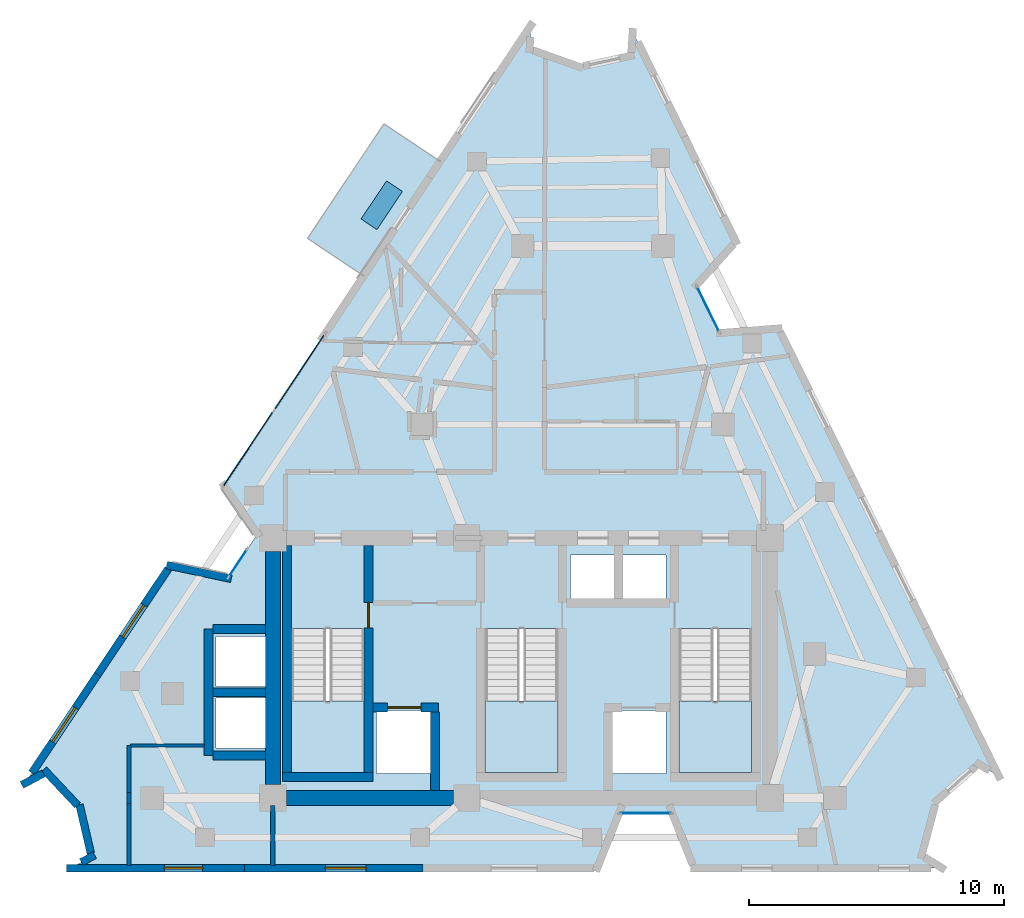
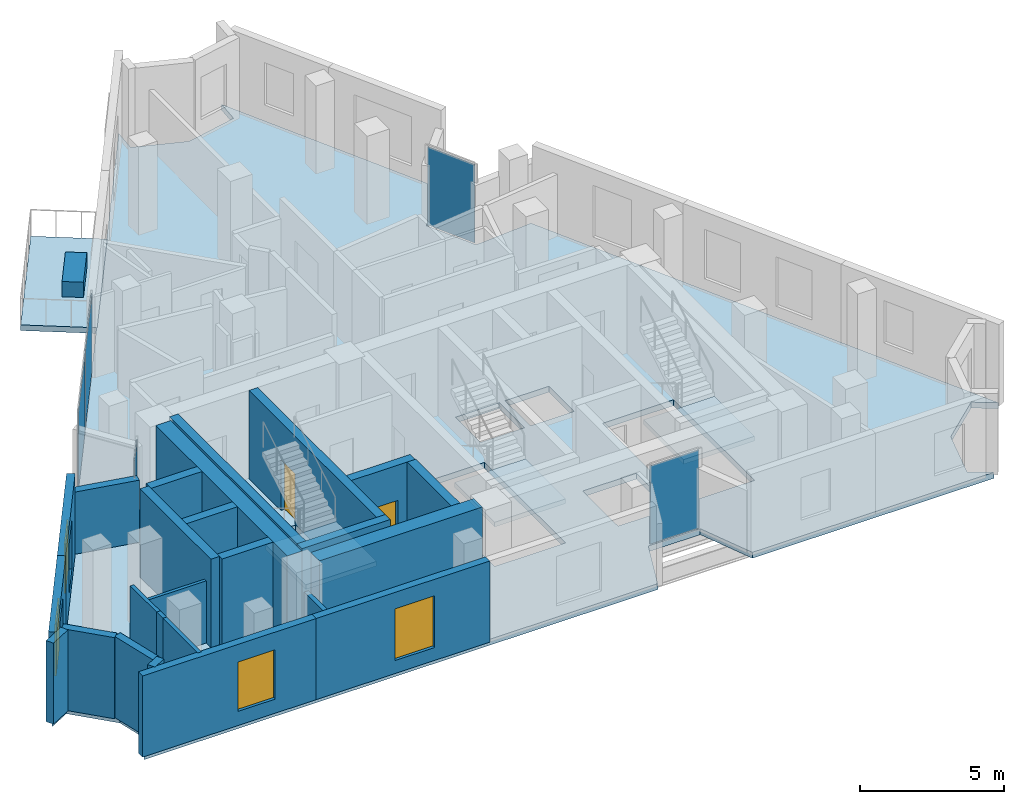
# One storey, part 4 of 8: 25 walls, 6 plates, 5 slabs, 4 windows, 2 doors, 6 openings, 7 elements without a shape of their own.
"""IFC4 building model written with IfcOpenShell, lengths in metres."""

import ifcopenshell
import ifcopenshell.guid

model = None  # the IFC model being written
_history = None  # IfcOwnerHistory: only IFC2X3 demands one
_inside = {}  # id of a spatial element -> (the spatial element, [elements in it])
_under = {}  # id of a project, library or spatial element -> (it, [spatial elements below it])
_declared = {}  # id of a project -> (the project, [libraries it declares])
_typed = {}  # id of a type object -> (the type object, [elements of that type])
_made_of = {}  # id of a material, layer set ... -> (it, [elements and type objects made of it])


def new_model(schema):
    """Start an empty IFC model of exactly this schema.

    Asked for "IFC4X3", IfcOpenShell would pick the latest addendum, in which some entities
    have other attributes; the version numbers below select the first issue.
    IFC2X3 requires an IfcOwnerHistory on every rooted entity: one is made here for all.
    """
    global model, _history
    if schema == "IFC4X3":
        model = ifcopenshell.file(schema_version=(4, 3, 0, 0))
    else:
        model = ifcopenshell.file(schema=schema)
    _inside.clear()
    _under.clear()
    _declared.clear()
    _typed.clear()
    _made_of.clear()
    _history = None
    if model.schema == "IFC2X3":
        org = make("IfcOrganization", Name="unknown")
        user = make(
            "IfcPersonAndOrganization",
            ThePerson=make("IfcPerson", FamilyName="unknown"),
            TheOrganization=org,
        )
        app = make(
            "IfcApplication",
            ApplicationDeveloper=org,
            Version="unknown",
            ApplicationFullName="unknown",
            ApplicationIdentifier="unknown",
        )
        _history = make(
            "IfcOwnerHistory",
            OwningUser=user,
            OwningApplication=app,
            ChangeAction="ADDED",
            CreationDate=0,
        )
    return model


def make(cls, **values):
    """One entity of the class cls with the attributes given. An attribute that is None is left unset."""
    return model.create_entity(
        cls, **{name: value for name, value in values.items() if value is not None}
    )


def rooted(cls, **values):
    """An entity with a GlobalId (a new one), such as an element, a storey or a relation."""
    return make(cls, GlobalId=ifcopenshell.guid.new(), OwnerHistory=_history, **values)


def si_unit(unit_type, name, prefix=None):
    """IfcSIUnit, for example si_unit("LENGTHUNIT", "METRE", prefix="MILLI")."""
    return make("IfcSIUnit", UnitType=unit_type, Prefix=prefix, Name=name)


def assignment(units):
    """IfcUnitAssignment: the units of a project."""
    return None if units is None else make("IfcUnitAssignment", Units=units)


def point(xyz):
    """IfcCartesianPoint."""
    return None if xyz is None else make("IfcCartesianPoint", Coordinates=xyz)


def direction(xyz):
    """IfcDirection."""
    return None if xyz is None else make("IfcDirection", DirectionRatios=xyz)


def frame(location, z_axis=None, x_axis=None):
    """IfcAxis2Placement3D, a coordinate frame: its origin and axes. An axis left out is left unset."""
    return make(
        "IfcAxis2Placement3D",
        Location=point(location),
        Axis=direction(z_axis),
        RefDirection=direction(x_axis),
    )


def frame_2d(location, x_axis=None):
    """IfcAxis2Placement2D, a coordinate frame in the plane: its origin and x axis."""
    return make(
        "IfcAxis2Placement2D", Location=point(location), RefDirection=direction(x_axis)
    )


def origin():
    """The frame at (0, 0, 0) with its axes left unset."""
    return frame((0.0, 0.0, 0.0))


def origin_2d():
    """The frame at (0, 0) in the plane with its x axis left unset."""
    return frame_2d((0.0, 0.0))


def place(relative_to, where):
    """IfcLocalPlacement: puts the frame where relative to a parent placement (None: the world)."""
    return make(
        "IfcLocalPlacement", PlacementRelTo=relative_to, RelativePlacement=where
    )


def context(
    kind, dimensions, precision=None, world=None, true_north=None, identifier=None
):
    """IfcGeometricRepresentationContext, for example the 3D "Model" context."""
    return make(
        "IfcGeometricRepresentationContext",
        ContextIdentifier=identifier,
        ContextType=kind,
        CoordinateSpaceDimension=dimensions,
        Precision=precision,
        WorldCoordinateSystem=world,
        TrueNorth=true_north,
    )


def subcontext(parent, identifier, kind, view, scale=None):
    """IfcGeometricRepresentationSubContext, for example "Body" below "Model"."""
    return make(
        "IfcGeometricRepresentationSubContext",
        ContextIdentifier=identifier,
        ContextType=kind,
        ParentContext=parent,
        TargetScale=scale,
        TargetView=view,
    )


def project(units=None, contexts=None):
    """IfcProject with its units and contexts."""
    return rooted(
        "IfcProject",
        Name="project",
        RepresentationContexts=contexts,
        UnitsInContext=assignment(units),
    )


def spatial(cls, under=None, at=None, **own):
    """A site, building, storey or space (cls), placed at a placement, below another one or the project."""
    s = rooted(cls, ObjectPlacement=at, **own)
    if under is not None:
        _under.setdefault(under.id(), (under, []))[1].append(s)
    return s


def polyline(points):
    """IfcPolyline through the points."""
    return make("IfcPolyline", Points=[point(p) for p in points])


def profile(cls, at=None, kind="AREA", **sizes):
    """A parametric profile (cls). Its sizes go by their IFC names, for example OverallWidth=200.0."""
    return make(cls, ProfileType=kind, Position=at, **sizes)


def rectangle(**sizes):
    """IfcRectangleProfileDef."""
    return profile("IfcRectangleProfileDef", **sizes)


def outline(outer, holes=None, kind="AREA"):
    """IfcArbitraryClosedProfileDef: a profile drawn as a closed curve; with holes, ...WithVoids."""
    if holes is None:
        return make("IfcArbitraryClosedProfileDef", ProfileType=kind, OuterCurve=outer)
    return make(
        "IfcArbitraryProfileDefWithVoids",
        ProfileType=kind,
        OuterCurve=outer,
        InnerCurves=holes,
    )


def extrude(swept, where, along, depth):
    """IfcExtrudedAreaSolid: the profile swept, set in the frame where, extruded along a direction by depth."""
    return make(
        "IfcExtrudedAreaSolid",
        SweptArea=swept,
        Position=where,
        ExtrudedDirection=direction(along),
        Depth=depth,
    )


def shape(context_of_items, identifier, shape_type, items):
    """IfcShapeRepresentation: the items that make up one representation, for example the "Body"."""
    return make(
        "IfcShapeRepresentation",
        ContextOfItems=context_of_items,
        RepresentationIdentifier=identifier,
        RepresentationType=shape_type,
        Items=items,
    )


def material(Name=None, Category=None):
    """IfcMaterial."""
    return make("IfcMaterial", Name=Name, Category=Category)


def layer(
    of_material, thickness, ventilated=None, Name=None, Category=None, Priority=None
):
    """IfcMaterialLayer: one layer of a wall or slab, of a material (None: an air gap)."""
    return make(
        "IfcMaterialLayer",
        Material=of_material,
        LayerThickness=thickness,
        IsVentilated=ventilated,
        Name=Name,
        Category=Category,
        Priority=Priority,
    )


def layer_set(layers, Name=None):
    """IfcMaterialLayerSet."""
    return make("IfcMaterialLayerSet", MaterialLayers=layers, LayerSetName=Name)


def made_of(thing, what):
    """Note that an element or type object is made of a material, layer set ...; save() writes the relation."""
    if what is not None:
        _made_of.setdefault(what.id(), (what, []))[1].append(thing)
    return thing


def type_object(cls, material=None, **own):
    """A type object (cls), such as IfcWallType, which elements share."""
    return made_of(rooted(cls, **own), material)


def element(
    cls,
    number,
    at=None,
    inside=None,
    cuts=None,
    type_object=None,
    material=None,
    context=None,
    identifier="Body",
    shape_type=None,
    held_by="IfcProductDefinitionShape",
    body=None,
    shapes=None,
    **own,
):
    """One element of the class cls, such as IfcWall. Its Tag is "e" and its number.

    at: its placement. inside: the storey or other place that contains it. cuts: it is an
    opening in that element (IfcRelVoidsElement). A single representation is given by context,
    identifier, shape_type and body (its items); several are given by shapes. held_by: the class
    of the entity that holds the representations. save() writes the other relations.
    """
    e = rooted(cls, Tag="e%d" % number, ObjectPlacement=at, **own)
    if body is not None:
        shapes = [shape(context, identifier, shape_type, body)]
    if shapes is not None:
        e.Representation = make(held_by, Representations=shapes)
    if inside is not None:
        _inside.setdefault(inside.id(), (inside, []))[1].append(e)
    if cuts is not None:
        rooted(
            "IfcRelVoidsElement", RelatingBuildingElement=cuts, RelatedOpeningElement=e
        )
    if type_object is not None:
        _typed.setdefault(type_object.id(), (type_object, []))[1].append(e)
    return made_of(e, material)


def fill(opening, filler):
    """IfcRelFillsElement: the door or window that sits in an opening."""
    return rooted(
        "IfcRelFillsElement",
        RelatingOpeningElement=opening,
        RelatedBuildingElement=filler,
    )


def aggregate(whole, parts):
    """IfcRelAggregates: a whole, such as a stair, and the parts it consists of."""
    return rooted("IfcRelAggregates", RelatingObject=whole, RelatedObjects=parts)


def save(model, path):
    """Write the relations noted so far, then the file.

    IfcRelAggregates (storeys below a building ...), IfcRelContainedInSpatialStructure (elements
    in a storey), IfcRelDefinesByType, IfcRelAssociatesMaterial and IfcRelDeclares: one each for
    every whole, place, type object, material and project.
    """
    for whole, parts in _under.values():
        aggregate(whole, parts)
    for where, things in _inside.values():
        rooted(
            "IfcRelContainedInSpatialStructure",
            RelatedElements=things,
            RelatingStructure=where,
        )
    for kind, things in _typed.values():
        rooted("IfcRelDefinesByType", RelatedObjects=things, RelatingType=kind)
    for what, things in _made_of.values():
        rooted("IfcRelAssociatesMaterial", RelatedObjects=things, RelatingMaterial=what)
    for by, libraries in _declared.values():
        rooted("IfcRelDeclares", RelatingContext=by, RelatedDefinitions=libraries)
    model.write(path)


model = new_model("IFC4")

# Units and contexts
model_context = context("Model", 3, precision=1e-05, world=origin(), true_north=direction((0.0, 1.0)))
body_context = subcontext(model_context, "Body", "Model", "MODEL_VIEW")
ifc_project = project(units=[si_unit("LENGTHUNIT", "METRE"), si_unit("AREAUNIT", "SQUARE_METRE"), si_unit("VOLUMEUNIT", "CUBIC_METRE"), si_unit("PLANEANGLEUNIT", "RADIAN"), si_unit("MASSUNIT", "GRAM", prefix="KILO")], contexts=[model_context])

# Site, building, storey
site_placement = place(None, origin())
site = spatial("IfcSite", under=ifc_project, at=site_placement, CompositionType="ELEMENT")
building_placement = place(site_placement, origin())
building = spatial("IfcBuilding", under=site, at=building_placement, Name="Almagre Mirador Tower", CompositionType="ELEMENT")
storey_placement = place(building_placement, frame((0.0, 0.0, 285.75)))
storey = spatial("IfcBuildingStorey", under=building, at=storey_placement, Name="L74", CompositionType="ELEMENT", Elevation=285.75)

# Curtain wall, plate
ifc_material_1 = material(Name="Black anodized aluminium", Category="aluminium")
ifc_layer_1 = layer(ifc_material_1, 0.169921875)
ifc_layer_set_1 = layer_set([ifc_layer_1], Name="Black anodized aluminium")
curtain_wall_type_1 = type_object("IfcCurtainWallType", Name="CW-CRS-SYS", PredefinedType="NOTDEFINED", material=ifc_layer_set_1)
curtain_wall_1_placement = place(storey_placement, origin())
curtain_wall_1 = element("IfcCurtainWall", 1, at=curtain_wall_1_placement, inside=storey, type_object=curtain_wall_type_1, Name="L74 vertical crease curtain wall 01", PredefinedType="NOTDEFINED")
ifc_material_2 = material(Name="Dark solar-control laminated hurricane glass", Category="glass")
ifc_layer_2 = layer(ifc_material_2, 0.028076171875)
ifc_layer_set_2 = layer_set([ifc_layer_2], Name="Dark solar-control laminated hurricane glass")
plate_type_1 = type_object("IfcPlateType", Name="PLT-GLZ-28", PredefinedType="CURTAIN_PANEL", material=ifc_layer_set_2)
plate_1_placement = place(storey_placement, frame((26.1708984375, 13.76220703125, 0.06005859375), z_axis=(0.0, 0.0, 1.0), x_axis=(0.555110871577, 0.83177636433, 0.0)))
plate_1 = element("IfcPlate", 2, at=plate_1_placement, type_object=plate_type_1, Name="CW-4 panel 1.1", PredefinedType="CURTAIN_PANEL", context=body_context, shape_type="SweptSolid", body=[
    extrude(rectangle(XDim=1.28466796875, YDim=0.028076171875, at=origin_2d()), origin(), (0.0, 0.0, 1.0), 3.330078125),
])
aggregate(curtain_wall_1, [plate_1])

curtain_wall_2_placement = place(storey_placement, origin())
curtain_wall_2 = element("IfcCurtainWall", 3, at=curtain_wall_2_placement, inside=storey, type_object=curtain_wall_type_1, Name="L74 vertical crease curtain wall 03", PredefinedType="NOTDEFINED")
plate_2_placement = place(storey_placement, frame((44.62158203125, 23.7265625, 0.06005859375), z_axis=(0.0, 0.0, 1.0), x_axis=(0.441654397897, -0.897185261147, 0.0)))
plate_2 = element("IfcPlate", 4, at=plate_2_placement, type_object=plate_type_1, Name="CW-4 panel 1.1", PredefinedType="CURTAIN_PANEL", context=body_context, shape_type="SweptSolid", body=[
    extrude(rectangle(XDim=1.969970703125, YDim=0.028076171875, at=origin_2d()), origin(), (0.0, 0.0, 1.0), 3.330078125),
])
aggregate(curtain_wall_2, [plate_2])

curtain_wall_3_placement = place(storey_placement, origin())
curtain_wall_3 = element("IfcCurtainWall", 5, at=curtain_wall_3_placement, inside=storey, type_object=curtain_wall_type_1, Name="L74 vertical crease curtain wall 04", PredefinedType="NOTDEFINED")
plate_3_placement = place(storey_placement, frame((42.172119140625, 3.949951171875, 0.06005859375), z_axis=(0.0, 0.0, 1.0), x_axis=(-1.0, 0.0, 0.0)))
plate_3 = element("IfcPlate", 6, at=plate_3_placement, type_object=plate_type_1, Name="CW-4 panel 1.1", PredefinedType="CURTAIN_PANEL", context=body_context, shape_type="SweptSolid", body=[
    extrude(rectangle(XDim=1.969970703125, YDim=0.028076171875, at=origin_2d()), origin(), (0.0, 0.0, 1.0), 3.330078125),
])
aggregate(curtain_wall_3, [plate_3])

# Curtain wall, plates
ifc_material_3 = material(Name="Black anodized aluminium", Category="aluminium")
ifc_layer_3 = layer(ifc_material_3, 0.199951171875)
ifc_layer_set_3 = layer_set([ifc_layer_3], Name="Black anodized aluminium")
curtain_wall_type_2 = type_object("IfcCurtainWallType", Name="CW-RES-H-SYS", PredefinedType="NOTDEFINED", material=ifc_layer_set_3)
curtain_wall_4_placement = place(storey_placement, origin())
curtain_wall_4 = element("IfcCurtainWall", 7, at=curtain_wall_4_placement, inside=storey, type_object=curtain_wall_type_2, Name="L74 curtain wall run 02", PredefinedType="NOTDEFINED")
ifc_material_4 = material(Name="Dark solar-control laminated hurricane glass", Category="glass")
ifc_layer_4 = layer(ifc_material_4, 0.035888671875)
ifc_layer_set_4 = layer_set([ifc_layer_4], Name="Dark solar-control laminated hurricane glass")
plate_type_2 = type_object("IfcPlateType", Name="PLT-GLZ-36", PredefinedType="CURTAIN_PANEL", material=ifc_layer_set_4)
plate_4_placement = place(storey_placement, frame((26.576416015625, 18.241943359375, 0.06494140625), z_axis=(0.0, 0.0, 1.0), x_axis=(0.555222828235, 0.831701635809, 0.0)))
plate_4 = element("IfcPlate", 8, at=plate_4_placement, type_object=plate_type_2, Name="CW-3 panel 1.1", PredefinedType="CURTAIN_PANEL", context=body_context, shape_type="SweptSolid", body=[
    extrude(rectangle(XDim=3.566650390625, YDim=0.035888671875, at=origin_2d()), origin(), (0.0, 0.0, 1.0), 3.320068359375),
])
plate_5_placement = place(storey_placement, frame((28.5927734375, 21.26220703125, 0.06494140625), z_axis=(0.0, 0.0, 1.0), x_axis=(0.555222828235, 0.831701635809, 0.0)))
plate_5 = element("IfcPlate", 9, at=plate_5_placement, type_object=plate_type_2, Name="CW-3 panel 2.1", PredefinedType="CURTAIN_PANEL", context=body_context, shape_type="SweptSolid", body=[
    extrude(rectangle(XDim=3.566650390625, YDim=0.035888671875, at=origin_2d()), origin(), (0.0, 0.0, 1.0), 3.320068359375),
])
aggregate(curtain_wall_4, [plate_4, plate_5])

# Plate
ifc_material_5 = material(Name="Precast concrete C50/60", Category="concrete")
ifc_layer_5 = layer(ifc_material_5, 0.64990234375)
ifc_layer_set_5 = layer_set([ifc_layer_5], Name="Precast concrete C50/60")
plate_type_3 = type_object("IfcPlateType", Name="PLT-PLANTER-1800", PredefinedType="USERDEFINED", material=ifc_layer_set_5)
plate_6_placement = place(storey_placement, frame((31.820068359375, 27.806884765625, 0.0), z_axis=(0.0, 0.0, 1.0), x_axis=(-0.555221899113, -0.831702256066, 0.0)))
element("IfcPlate", 10, at=plate_6_placement, inside=storey, type_object=plate_type_3, Name="L74 west balcony structural tree planter 1", ObjectType="PLANTER", PredefinedType="USERDEFINED", context=body_context, shape_type="SweptSolid", body=[
    extrude(rectangle(XDim=1.800048828125, YDim=0.75, at=origin_2d()), origin(), (0.0, 0.0, 1.0), 0.64990234375),
])

# Slabs
ifc_material_6 = material(Name="Concrete C45/55", Category="concrete")
ifc_layer_6 = layer(ifc_material_6, 0.239990234375)
ifc_layer_set_6 = layer_set([ifc_layer_6], Name="Concrete C45/55")
slab_type_1 = type_object("IfcSlabType", Name="SLB-BAL-240", PredefinedType="USERDEFINED", material=ifc_layer_set_6)
slab_1_placement = place(storey_placement, frame((0.0, 0.0, -0.239990234375)))
element("IfcSlab", 11, at=slab_1_placement, inside=storey, type_object=slab_type_1, Name="L74 west planted tree balcony 1", ObjectType="BALCONY", PredefinedType="USERDEFINED", context=body_context, shape_type="SweptSolid", body=[
    extrude(outline(polyline([(34.1259765625, 29.514892578125), (31.1279296875, 25.02294921875), (28.906982421875, 26.506103515625), (31.905029296875, 30.9970703125), (34.1259765625, 29.514892578125)])), origin(), (0.0, 0.0, 1.0), 0.239990234375),
])
ifc_material_7 = material(Name="Concrete C45/55", Category="concrete")
ifc_layer_7 = layer(ifc_material_7, 0.25)
ifc_layer_set_7 = layer_set([ifc_layer_7], Name="Concrete C45/55")
slab_type_2 = type_object("IfcSlabType", Name="SLB-FLR-250", PredefinedType="FLOOR", material=ifc_layer_set_7)
slab_2_placement = place(storey_placement, frame((0.0, 0.0, -0.25)))
element("IfcSlab", 12, at=slab_2_placement, inside=storey, type_object=slab_type_2, Name="L74 structural floor slab", PredefinedType="FLOOR", context=body_context, shape_type="SweptSolid", body=[
    extrude(outline(polyline([(17.821044921875, 5.126953125), (18.654052734375, 5.572021484375), (19.990966796875, 4.14794921875), (20.43310546875, 2.24609375), (19.60009765625, 1.800048828125), (40.27197265625, 1.800048828125), (41.126953125, 3.949951171875), (43.217041015625, 3.949951171875), (44.072021484375, 1.800048828125), (53.800048828125, 1.800048828125), (52.998046875, 2.299072265625), (53.572021484375, 4.431884765625), (55.23291015625, 5.888916015625), (56.034912109375, 5.388916015625), (47.388916015625, 22.969970703125), (45.0830078125, 22.7890625), (44.159912109375, 24.6640625), (45.7119140625, 26.3798828125), (41.6650390625, 34.611083984375), (41.60302734375, 33.66796875), (39.572998046875, 33.23095703125), (37.616943359375, 33.929931640625), (37.678955078125, 34.873046875), (25.6279296875, 16.821044921875), (26.94091796875, 14.916015625), (25.781005859375, 13.177978515625), (23.51806640625, 13.659912109375), (17.821044921875, 5.126953125)]), holes=[polyline([(43.47509765625, 5.550048828125), (43.47509765625, 11.196044921875), (46.324951171875, 11.196044921875), (46.324951171875, 5.550048828125), (43.47509765625, 5.550048828125)]), polyline([(41.219970703125, 12.320068359375), (41.219970703125, 14.080078125), (42.97998046875, 14.080078125), (42.97998046875, 12.320068359375), (41.219970703125, 12.320068359375)]), polyline([(42.97998046875, 5.52001953125), (40.820068359375, 5.52001953125), (40.820068359375, 7.97998046875), (42.97998046875, 7.97998046875), (42.97998046875, 5.52001953125)]), polyline([(39.219970703125, 12.320068359375), (39.219970703125, 14.080078125), (40.97998046875, 14.080078125), (40.97998046875, 12.320068359375), (39.219970703125, 12.320068359375)]), polyline([(35.875, 5.550048828125), (35.875, 11.196044921875), (38.72509765625, 11.196044921875), (38.72509765625, 5.550048828125), (35.875, 5.550048828125)]), polyline([(33.780029296875, 5.52001953125), (31.6201171875, 5.52001953125), (31.6201171875, 7.97998046875), (33.780029296875, 7.97998046875), (33.780029296875, 5.52001953125)]), polyline([(28.27490234375, 5.550048828125), (28.27490234375, 11.196044921875), (31.125, 11.196044921875), (31.125, 5.550048828125), (28.27490234375, 5.550048828125)]), polyline([(27.3798828125, 6.52001953125), (25.320068359375, 6.52001953125), (25.320068359375, 8.47998046875), (27.3798828125, 8.47998046875), (27.3798828125, 6.52001953125)]), polyline([(27.3798828125, 8.919921875), (25.320068359375, 8.919921875), (25.320068359375, 10.8798828125), (27.3798828125, 10.8798828125), (27.3798828125, 8.919921875)])]), origin(), (0.0, 0.0, 1.0), 0.25),
])

# Stair, slab
ifc_material_8 = material(Name="Concrete C45/55", Category="concrete")
stair_type = type_object("IfcStairType", Name="STR-DL-3750", PredefinedType="HALF_TURN_STAIR", material=ifc_material_8)
stair_1_placement = place(storey_placement, origin())
stair_1 = element("IfcStair", 13, at=stair_1_placement, inside=storey, type_object=stair_type, Name="L74 Protected exit stair ST-1", PredefinedType="HALF_TURN_STAIR")
ifc_material_9 = material(Name="Concrete C45/55", Category="concrete")
ifc_layer_8 = layer(ifc_material_9, 0.199951171875)
ifc_layer_set_8 = layer_set([ifc_layer_8], Name="Concrete C45/55")
slab_type_3 = type_object("IfcSlabType", Name="SLB-LND-200", PredefinedType="LANDING", material=ifc_layer_set_8)
slab_3_placement = place(storey_placement, frame((0.0, 0.0, 1.675048828125)))
slab_3 = element("IfcSlab", 14, at=slab_3_placement, type_object=slab_type_3, Name="ST-1 landing 1", PredefinedType="LANDING", context=body_context, shape_type="SweptSolid", body=[
    extrude(outline(polyline([(28.27490234375, 8.35009765625), (28.27490234375, 5.550048828125), (31.125, 5.550048828125), (31.125, 8.35009765625), (28.27490234375, 8.35009765625)])), origin(), (0.0, 0.0, 1.0), 0.199951171875),
])
aggregate(stair_1, [slab_3])

stair_2_placement = place(storey_placement, origin())
stair_2 = element("IfcStair", 15, at=stair_2_placement, inside=storey, type_object=stair_type, Name="L74 Protected exit stair ST-2", PredefinedType="HALF_TURN_STAIR")
slab_4_placement = place(storey_placement, frame((0.0, 0.0, 1.675048828125)))
slab_4 = element("IfcSlab", 16, at=slab_4_placement, type_object=slab_type_3, Name="ST-2 landing 1", PredefinedType="LANDING", context=body_context, shape_type="SweptSolid", body=[
    extrude(outline(polyline([(35.875, 8.35009765625), (35.875, 5.550048828125), (38.72509765625, 5.550048828125), (38.72509765625, 8.35009765625), (35.875, 8.35009765625)])), origin(), (0.0, 0.0, 1.0), 0.199951171875),
])
aggregate(stair_2, [slab_4])

stair_3_placement = place(storey_placement, origin())
stair_3 = element("IfcStair", 17, at=stair_3_placement, inside=storey, type_object=stair_type, Name="L74 Protected exit stair ST-3", PredefinedType="HALF_TURN_STAIR")
slab_5_placement = place(storey_placement, frame((0.0, 0.0, 1.675048828125)))
slab_5 = element("IfcSlab", 18, at=slab_5_placement, type_object=slab_type_3, Name="ST-3 landing 1", PredefinedType="LANDING", context=body_context, shape_type="SweptSolid", body=[
    extrude(outline(polyline([(43.47509765625, 8.35009765625), (43.47509765625, 5.550048828125), (46.324951171875, 5.550048828125), (46.324951171875, 8.35009765625), (43.47509765625, 8.35009765625)])), origin(), (0.0, 0.0, 1.0), 0.199951171875),
])
aggregate(stair_3, [slab_5])

# Wall
ifc_material_10 = material(Name="Precast concrete C50/60", Category="concrete")
ifc_layer_9 = layer(ifc_material_10, 0.300048828125)
ifc_layer_set_9 = layer_set([ifc_layer_9], Name="Precast concrete C50/60")
wall_type_1 = type_object("IfcWallType", Name="WAL-EXT-300", PredefinedType="SOLIDWALL", material=ifc_layer_set_9)
wall_1_placement = place(storey_placement, frame((23.381103515625, 13.689208984375, 0.0), z_axis=(0.0, 0.0, 1.0), x_axis=(0.978045557022, -0.208391190766, 0.0)))
element("IfcWall", 19, at=wall_1_placement, inside=storey, type_object=wall_type_1, Name="L74 expressed almagre precast frame wall 01", PredefinedType="SOLIDWALL", context=body_context, shape_type="SweptSolid", body=[
    extrude(rectangle(XDim=2.59375, YDim=0.300048828125, at=frame_2d((1.296875, 0.0))), origin(), (0.0, 0.0, 1.0), 2.64599609375),
])

# Wall, opening, window
wall_2_placement = place(storey_placement, frame((33.427978515625, 1.800048828125, 0.0), z_axis=(0.0, 0.0, 1.0), x_axis=(-1.0, 0.0, 0.0)))
wall_2 = element("IfcWall", 20, at=wall_2_placement, inside=storey, type_object=wall_type_1, Name="L74 expressed almagre precast frame wall 25", PredefinedType="SOLIDWALL", context=body_context, shape_type="SweptSolid", body=[
    extrude(rectangle(XDim=6.98388671875, YDim=0.300048828125, at=frame_2d((3.491943359375, 0.0))), origin(), (0.0, 0.0, 1.0), 3.449951171875),
])
opening_1_placement = place(wall_2_placement, frame((2.22509765625, 0.0, 0.550048828125)))
opening_1 = element("IfcOpeningElement", 21, at=opening_1_placement, cuts=wall_2, Name="Opening WN-06", PredefinedType="OPENING", context=body_context, shape_type="SweptSolid", body=[
    extrude(rectangle(XDim=1.60009765625, YDim=2.199951171875, at=frame_2d((0.800048828125, 1.10009765625))), frame((0.0, 0.159902, 0.0), z_axis=(0.0, -1.0, 0.0), x_axis=(1.0, 0.0, 0.0)), (0.0, 0.0, 1.0), 0.320049),
])
ifc_material_11 = material(Name="Dark solar-control laminated hurricane glass", Category="glass")
window_type_1 = type_object("IfcWindowType", Name="WIN-1600X2200", PartitioningType="DOUBLE_PANEL_VERTICAL", PredefinedType="WINDOW", material=ifc_material_11)
window_1_placement = place(opening_1_placement, origin())
window_1 = element("IfcWindow", 22, at=window_1_placement, inside=storey, type_object=window_type_1, Name="L74 recessed hurricane window L74-UA-MB", OverallHeight=2.199951171875, OverallWidth=1.60009765625, PartitioningType="SINGLE_PANEL", PredefinedType="WINDOW", context=body_context, shape_type="SweptSolid", body=[
    extrude(rectangle(XDim=1.60009765625, YDim=2.199951171875, at=frame_2d((0.800048828125, 1.10009765625))), frame((0.0, 0.030029296875, 0.0), z_axis=(0.0, -1.0, 0.0), x_axis=(1.0, 0.0, 0.0)), (0.0, 0.0, 1.0), 0.06005859375),
])
fill(opening_1, window_1)

wall_3_placement = place(storey_placement, frame((26.444091796875, 1.800048828125, 0.0), z_axis=(0.0, 0.0, 1.0), x_axis=(-1.0, 0.0, 0.0)))
wall_3 = element("IfcWall", 23, at=wall_3_placement, inside=storey, type_object=wall_type_1, Name="L74 expressed almagre precast frame wall 26", PredefinedType="SOLIDWALL", context=body_context, shape_type="SweptSolid", body=[
    extrude(rectangle(XDim=6.984130859375, YDim=0.300048828125, at=frame_2d((3.4921875, 0.0))), origin(), (0.0, 0.0, 1.0), 3.449951171875),
])
opening_2_placement = place(wall_3_placement, frame((1.64990234375, 0.0, 0.60009765625)))
opening_2 = element("IfcOpeningElement", 24, at=opening_2_placement, cuts=wall_3, Name="Opening WN-03", PredefinedType="OPENING", context=body_context, shape_type="SweptSolid", body=[
    extrude(rectangle(XDim=1.5, YDim=2.10009765625, at=frame_2d((0.75, 1.050048828125))), frame((0.0, 0.159902, 0.0), z_axis=(0.0, -1.0, 0.0), x_axis=(1.0, 0.0, 0.0)), (0.0, 0.0, 1.0), 0.320049),
])
ifc_material_12 = material(Name="Dark solar-control laminated hurricane glass", Category="glass")
window_type_2 = type_object("IfcWindowType", Name="WIN-1500X2100", PartitioningType="DOUBLE_PANEL_VERTICAL", PredefinedType="WINDOW", material=ifc_material_12)
window_2_placement = place(opening_2_placement, origin())
window_2 = element("IfcWindow", 25, at=window_2_placement, inside=storey, type_object=window_type_2, Name="L74 recessed hurricane window L74-UA-LV", OverallHeight=2.10009765625, OverallWidth=1.5, PartitioningType="SINGLE_PANEL", PredefinedType="WINDOW", context=body_context, shape_type="SweptSolid", body=[
    extrude(rectangle(XDim=1.5, YDim=2.10009765625, at=frame_2d((0.75, 1.050048828125))), frame((0.0, 0.030029296875, 0.0), z_axis=(0.0, -1.0, 0.0), x_axis=(1.0, 0.0, 0.0)), (0.0, 0.0, 1.0), 0.06005859375),
])
fill(opening_2, window_2)

# Walls
wall_4_placement = place(storey_placement, frame((20.031982421875, 2.03125, 0.0), z_axis=(0.0, 0.0, 1.0), x_axis=(0.881601971089, 0.471993606495, 0.0)))
element("IfcWall", 26, at=wall_4_placement, inside=storey, type_object=wall_type_1, Name="L74 expressed almagre precast frame wall 27", PredefinedType="SOLIDWALL", context=body_context, shape_type="SweptSolid", body=[
    extrude(rectangle(XDim=0.5947265625, YDim=0.300048828125, at=frame_2d((0.29736328125, 0.0))), origin(), (0.0, 0.0, 1.0), 3.449951171875),
])
wall_5_placement = place(storey_placement, frame((20.403564453125, 2.37255859375, 0.0), z_axis=(0.0, 0.0, 1.0), x_axis=(-0.226376282289, 0.974039926706, 0.0)))
element("IfcWall", 27, at=wall_5_placement, inside=storey, type_object=wall_type_1, Name="L74 expressed almagre precast frame wall 28", PredefinedType="SOLIDWALL", context=body_context, shape_type="SweptSolid", body=[
    extrude(rectangle(XDim=1.962890625, YDim=0.300048828125, at=frame_2d((0.9814453125, 0.0))), origin(), (0.0, 0.0, 1.0), 3.449951171875),
])
wall_6_placement = place(storey_placement, frame((19.88818359375, 4.25732421875, 0.0), z_axis=(0.0, 0.0, 1.0), x_axis=(-0.684454988333, 0.72905512065, 0.0)))
element("IfcWall", 28, at=wall_6_placement, inside=storey, type_object=wall_type_1, Name="L74 expressed almagre precast frame wall 29", PredefinedType="SOLIDWALL", context=body_context, shape_type="SweptSolid", body=[
    extrude(rectangle(XDim=1.943359375, YDim=0.300048828125, at=frame_2d((0.9716796875, 0.0))), origin(), (0.0, 0.0, 1.0), 3.449951171875),
])
wall_7_placement = place(storey_placement, frame((18.543701171875, 5.51318359375, 0.0), z_axis=(0.0, 0.0, 1.0), x_axis=(-0.881986380724, -0.471274892412, 0.0)))
element("IfcWall", 29, at=wall_7_placement, inside=storey, type_object=wall_type_1, Name="L74 expressed almagre precast frame wall 30", PredefinedType="SOLIDWALL", context=body_context, shape_type="SweptSolid", body=[
    extrude(rectangle(XDim=0.95947265625, YDim=0.300048828125, at=frame_2d((0.479736328125, 0.0))), origin(), (0.0, 0.0, 1.0), 3.449951171875),
])

# Wall, opening, window
wall_8_placement = place(storey_placement, frame((18.093017578125, 5.53466796875, 0.0), z_axis=(0.0, 0.0, 1.0), x_axis=(0.555270761483, 0.831669634796, 0.0)))
wall_8 = element("IfcWall", 30, at=wall_8_placement, inside=storey, type_object=wall_type_1, Name="L74 expressed almagre precast frame wall 31", PredefinedType="SOLIDWALL", context=body_context, shape_type="SweptSolid", body=[
    extrude(rectangle(XDim=4.639892578125, YDim=0.300048828125, at=frame_2d((2.31982421875, 0.0))), origin(), (0.0, 0.0, 1.0), 3.449951171875),
])
opening_3_placement = place(wall_8_placement, frame((1.469970703125, 0.0, 0.550048828125)))
opening_3 = element("IfcOpeningElement", 31, at=opening_3_placement, cuts=wall_8, Name="Opening WN-06", PredefinedType="OPENING", context=body_context, shape_type="SweptSolid", body=[
    extrude(rectangle(XDim=1.60009765625, YDim=2.199951171875, at=frame_2d((0.800048828125, 1.10009765625))), frame((0.0, 0.159902, 0.0), z_axis=(0.0, -1.0, 0.0), x_axis=(1.0, 0.0, 0.0)), (0.0, 0.0, 1.0), 0.320049),
])
window_3_placement = place(opening_3_placement, origin())
window_3 = element("IfcWindow", 32, at=window_3_placement, inside=storey, type_object=window_type_1, Name="L74 recessed hurricane window L74-RST-D", OverallHeight=2.199951171875, OverallWidth=1.60009765625, PartitioningType="SINGLE_PANEL", PredefinedType="WINDOW", context=body_context, shape_type="SweptSolid", body=[
    extrude(rectangle(XDim=1.60009765625, YDim=2.199951171875, at=frame_2d((0.800048828125, 1.10009765625))), frame((0.0, 0.030029296875, 0.0), z_axis=(0.0, -1.0, 0.0), x_axis=(1.0, 0.0, 0.0)), (0.0, 0.0, 1.0), 0.06005859375),
])
fill(opening_3, window_3)

wall_9_placement = place(storey_placement, frame((20.66943359375, 9.3935546875, 0.0), z_axis=(0.0, 0.0, 1.0), x_axis=(0.555297863108, 0.831651539545, 0.0)))
wall_9 = element("IfcWall", 33, at=wall_9_placement, inside=storey, type_object=wall_type_1, Name="L74 expressed almagre precast frame wall 32", PredefinedType="SOLIDWALL", context=body_context, shape_type="SweptSolid", body=[
    extrude(rectangle(XDim=4.994873046875, YDim=0.300048828125, at=frame_2d((2.49755859375, 0.0))), origin(), (0.0, 0.0, 1.0), 3.449951171875),
])
opening_4_placement = place(wall_9_placement, frame((1.77490234375, 0.0, 0.60009765625)))
opening_4 = element("IfcOpeningElement", 34, at=opening_4_placement, cuts=wall_9, Name="Opening WN-03", PredefinedType="OPENING", context=body_context, shape_type="SweptSolid", body=[
    extrude(rectangle(XDim=1.5, YDim=2.10009765625, at=frame_2d((0.75, 1.050048828125))), frame((0.0, 0.159902, 0.0), z_axis=(0.0, -1.0, 0.0), x_axis=(1.0, 0.0, 0.0)), (0.0, 0.0, 1.0), 0.320049),
])
window_4_placement = place(opening_4_placement, origin())
window_4 = element("IfcWindow", 35, at=window_4_placement, inside=storey, type_object=window_type_2, Name="L74 recessed hurricane window L74-RST-D", OverallHeight=2.10009765625, OverallWidth=1.5, PartitioningType="SINGLE_PANEL", PredefinedType="WINDOW", context=body_context, shape_type="SweptSolid", body=[
    extrude(rectangle(XDim=1.5, YDim=2.10009765625, at=frame_2d((0.75, 1.050048828125))), frame((0.0, 0.030029296875, 0.0), z_axis=(0.0, -1.0, 0.0), x_axis=(1.0, 0.0, 0.0)), (0.0, 0.0, 1.0), 0.06005859375),
])
fill(opening_4, window_4)

# Walls
ifc_material_13 = material(Name="Gypsum acoustic stud partition", Category="other")
ifc_layer_10 = layer(ifc_material_13, 0.125)
ifc_layer_set_10 = layer_set([ifc_layer_10], Name="Gypsum acoustic stud partition")
wall_type_2 = type_object("IfcWallType", Name="WAL-PRT-125-UTL", PredefinedType="PARTITIONING", material=ifc_layer_set_10)
wall_10_placement = place(storey_placement, frame((24.864990234375, 6.610107421875, 0.0), z_axis=(0.0, 0.0, 1.0), x_axis=(-1.0, 0.0, 0.0)))
element("IfcWall", 36, at=wall_10_placement, inside=storey, type_object=wall_type_2, Name="L74 interior partition 017", PredefinedType="PARTITIONING", context=body_context, shape_type="SweptSolid", body=[
    extrude(rectangle(XDim=2.905029296875, YDim=0.125, at=frame_2d((1.45263671875, 0.0))), origin(), (0.0, 0.0, 1.0), 2.64111328125),
])
ifc_material_14 = material(Name="Gypsum acoustic stud partition", Category="other")
ifc_layer_11 = layer(ifc_material_14, 0.14990234375)
ifc_layer_set_11 = layer_set([ifc_layer_11], Name="Gypsum acoustic stud partition")
wall_type_3 = type_object("IfcWallType", Name="WAL-PRT-150-STD", PredefinedType="PARTITIONING", material=ifc_layer_set_11)
wall_11_placement = place(storey_placement, frame((21.89990234375, 4.330078125, 0.0), z_axis=(0.0, 0.0, 1.0), x_axis=(0.0, -1.0, 0.0)))
element("IfcWall", 37, at=wall_11_placement, inside=storey, type_object=wall_type_3, Name="L74 interior partition 015", PredefinedType="PARTITIONING", context=body_context, shape_type="SweptSolid", body=[
    extrude(rectangle(XDim=2.43017578125, YDim=0.14990234375, at=frame_2d((1.215087890625, 0.0))), origin(), (0.0, 0.0, 1.0), 3.449951171875),
])
wall_12_placement = place(storey_placement, frame((21.89990234375, 6.610107421875, 0.0), z_axis=(0.0, 0.0, 1.0), x_axis=(0.0, -1.0, 0.0)))
element("IfcWall", 38, at=wall_12_placement, inside=storey, type_object=wall_type_3, Name="L74 interior partition 016", PredefinedType="PARTITIONING", context=body_context, shape_type="SweptSolid", body=[
    extrude(rectangle(XDim=1.840087890625, YDim=0.14990234375, at=frame_2d((0.919921875, 0.0))), origin(), (0.0, 0.0, 1.0), 3.449951171875),
])
wall_13_placement = place(storey_placement, frame((21.89990234375, 4.330078125, 0.0), z_axis=(0.0, 0.0, 1.0), x_axis=(0.0, 1.0, 0.0)))
element("IfcWall", 39, at=wall_13_placement, inside=storey, type_object=wall_type_3, Name="L74 interior partition 051", PredefinedType="PARTITIONING", context=body_context, shape_type="SweptSolid", body=[
    extrude(rectangle(XDim=0.43994140625, YDim=0.14990234375, at=frame_2d((0.219970703125, 0.0))), origin(), (0.0, 0.0, 1.0), 3.449951171875),
])
ifc_material_15 = material(Name="Gypsum acoustic stud partition", Category="other")
ifc_layer_12 = layer(ifc_material_15, 0.175048828125)
ifc_layer_set_12 = layer_set([ifc_layer_12], Name="Gypsum acoustic stud partition")
wall_type_4 = type_object("IfcWallType", Name="WAL-PRT-175-AC", PredefinedType="PARTITIONING", material=ifc_layer_set_12)
wall_14_placement = place(storey_placement, frame((27.550048828125, 1.89990234375, 0.0), z_axis=(0.0, 0.0, 1.0), x_axis=(0.0, 1.0, 0.0)))
element("IfcWall", 40, at=wall_14_placement, inside=storey, type_object=wall_type_4, Name="L74 interior partition 018", PredefinedType="PARTITIONING", context=body_context, shape_type="SweptSolid", body=[
    extrude(rectangle(XDim=2.35009765625, YDim=0.175048828125, at=frame_2d((1.175048828125, 0.0))), origin(), (0.0, 0.0, 1.0), 2.64111328125),
])
ifc_material_16 = material(Name="Concrete C60/75", Category="concrete")
ifc_layer_13 = layer(ifc_material_16, 0.35009765625)
ifc_layer_set_13 = layer_set([ifc_layer_13], Name="Concrete C60/75")
wall_type_5 = type_object("IfcWallType", Name="WAL-SHF-350", PredefinedType="SOLIDWALL", material=ifc_layer_set_13)
wall_15_placement = place(storey_placement, frame((28.10009765625, 5.199951171875, 0.0), z_axis=(0.0, 0.0, 1.0), x_axis=(0.0, 1.0, 0.0)))
element("IfcWall", 41, at=wall_15_placement, inside=storey, type_object=wall_type_5, Name="L74 shaft wall ST1-W", PredefinedType="SOLIDWALL", context=body_context, shape_type="SweptSolid", body=[
    extrude(rectangle(XDim=9.25, YDim=0.35009765625, at=frame_2d((4.625, 0.0))), origin(), (0.0, 0.0, 1.0), 3.75),
])

# Wall, opening, door
wall_16_placement = place(storey_placement, frame((31.300048828125, 5.199951171875, 0.0), z_axis=(0.0, 0.0, 1.0), x_axis=(0.0, 1.0, 0.0)))
wall_16 = element("IfcWall", 42, at=wall_16_placement, inside=storey, type_object=wall_type_5, Name="L74 shaft wall ST1-E", PredefinedType="SOLIDWALL", context=body_context, shape_type="SweptSolid", body=[
    extrude(rectangle(XDim=9.25, YDim=0.35009765625, at=frame_2d((4.625, 0.0))), origin(), (0.0, 0.0, 1.0), 3.75),
])
opening_5_placement = place(wall_16_placement, frame((6.02001953125, 0.0, 0.0)))
opening_5 = element("IfcOpeningElement", 43, at=opening_5_placement, cuts=wall_16, Name="Opening FD-01", PredefinedType="OPENING", context=body_context, shape_type="SweptSolid", body=[
    extrude(rectangle(XDim=1.0, YDim=2.14990234375, at=frame_2d((0.5, 1.074951171875))), frame((0.0, 0.185049, 0.0), z_axis=(0.0, -1.0, 0.0), x_axis=(1.0, 0.0, 0.0)), (0.0, 0.0, 1.0), 0.370098),
])
ifc_material_17 = material(Name="Fire-rated hollow steel", Category="steel")
door_type_1 = type_object("IfcDoorType", Name="DOR-FFL-1000X2150", OperationType="NOTDEFINED", PredefinedType="DOOR", material=ifc_material_17)
door_1_placement = place(opening_5_placement, origin())
door_1 = element("IfcDoor", 44, at=door_1_placement, inside=storey, type_object=door_type_1, Name="DR-2214 L74 FFL1-ST1 smokeproof door", OperationType="SINGLE_SWING_LEFT", OverallHeight=2.14990234375, OverallWidth=1.0, PredefinedType="DOOR", context=body_context, shape_type="SweptSolid", body=[
    extrude(rectangle(XDim=1.0, YDim=2.14990234375, at=frame_2d((0.5, 1.074951171875))), frame((0.0, 0.02490234375, 0.0), z_axis=(0.0, -1.0, 0.0), x_axis=(1.0, 0.0, 0.0)), (0.0, 0.0, 1.0), 0.050048828125),
])
fill(opening_5, door_1)

# Wall
wall_17_placement = place(storey_placement, frame((27.925048828125, 5.375, 0.0), z_axis=(0.0, 0.0, 1.0), x_axis=(1.0, 0.0, 0.0)))
element("IfcWall", 45, at=wall_17_placement, inside=storey, type_object=wall_type_5, Name="L74 shaft wall ST1-S", PredefinedType="SOLIDWALL", context=body_context, shape_type="SweptSolid", body=[
    extrude(rectangle(XDim=3.550048828125, YDim=0.35009765625, at=frame_2d((1.77490234375, 0.0))), origin(), (0.0, 0.0, 1.0), 3.75),
])

# Wall, opening, door
wall_18_placement = place(storey_placement, frame((31.47509765625, 8.10009765625, 0.0), z_axis=(0.0, 0.0, 1.0), x_axis=(1.0, 0.0, 0.0)))
wall_18 = element("IfcWall", 46, at=wall_18_placement, inside=storey, type_object=wall_type_5, Name="L74 shaft wall FSAE1-N", PredefinedType="SOLIDWALL", context=body_context, shape_type="SweptSolid", body=[
    extrude(rectangle(XDim=2.574951171875, YDim=0.35009765625, at=frame_2d((1.28759765625, 0.0))), origin(), (0.0, 0.0, 1.0), 3.75),
])
opening_6_placement = place(wall_18_placement, frame((0.574951171875, 0.0, 0.0)))
opening_6 = element("IfcOpeningElement", 47, at=opening_6_placement, cuts=wall_18, Name="Opening LD-03", PredefinedType="OPENING", context=body_context, shape_type="SweptSolid", body=[
    extrude(rectangle(XDim=1.300048828125, YDim=2.25, at=frame_2d((0.64990234375, 1.125))), frame((0.0, 0.185049, 0.0), z_axis=(0.0, -1.0, 0.0), x_axis=(1.0, 0.0, 0.0)), (0.0, 0.0, 1.0), 0.370098),
])
ifc_material_18 = material(Name="Hollow stainless steel", Category="steel")
door_type_2 = type_object("IfcDoorType", Name="DOR-LD-1300X2250", OperationType="DOUBLE_DOOR_SLIDING", PredefinedType="DOOR", material=ifc_material_18)
door_2_placement = place(opening_6_placement, origin())
door_2 = element("IfcDoor", 48, at=door_2_placement, inside=storey, type_object=door_type_2, Name="DR-2229 L74 FSAE-1 lift landing door", OperationType="DOUBLE_DOOR_SLIDING", OverallHeight=2.25, OverallWidth=1.300048828125, PredefinedType="DOOR", context=body_context, shape_type="SweptSolid", body=[
    extrude(rectangle(XDim=1.300048828125, YDim=2.25, at=frame_2d((0.64990234375, 1.125))), frame((0.0, 0.02490234375, 0.0), z_axis=(0.0, -1.0, 0.0), x_axis=(1.0, 0.0, 0.0)), (0.0, 0.0, 1.0), 0.050048828125),
])
fill(opening_6, door_2)

# Walls
wall_19_placement = place(storey_placement, frame((33.89990234375, 4.85009765625, 0.0), z_axis=(0.0, 0.0, 1.0), x_axis=(0.0, 1.0, 0.0)))
element("IfcWall", 49, at=wall_19_placement, inside=storey, type_object=wall_type_5, Name="L74 shaft wall FSAE1-E", PredefinedType="SOLIDWALL", context=body_context, shape_type="SweptSolid", body=[
    extrude(rectangle(XDim=3.074951171875, YDim=0.35009765625, at=frame_2d((1.53759765625, 0.0))), origin(), (0.0, 0.0, 1.0), 3.75),
])
wall_20_placement = place(storey_placement, frame((25.02490234375, 6.22509765625, 0.0), z_axis=(0.0, 0.0, 1.0), x_axis=(0.0, 1.0, 0.0)))
element("IfcWall", 50, at=wall_20_placement, inside=storey, type_object=wall_type_5, Name="L74 shaft wall OL-W", PredefinedType="SOLIDWALL", context=body_context, shape_type="SweptSolid", body=[
    extrude(rectangle(XDim=4.949951171875, YDim=0.35009765625, at=frame_2d((2.47509765625, 0.0))), origin(), (0.0, 0.0, 1.0), 3.75),
])
for number, where, z_axis, x_axis, name in (
    (51, (25.199951171875, 6.22509765625, 0.0), (0.0, 0.0, 1.0), (1.0, 0.0, 0.0), "L74 shaft wall OL-S"),
    (52, (25.199951171875, 8.699951171875, 0.0), (0.0, 0.0, 1.0), (1.0, 0.0, 0.0), "L74 shaft wall OL-M"),
    (53, (25.199951171875, 11.175048828125, 0.0), (0.0, 0.0, 1.0), (1.0, 0.0, 0.0), "L74 shaft wall OL-N"),
):
    element("IfcWall", number, at=place(storey_placement, frame(where, z_axis=z_axis, x_axis=x_axis)), inside=storey, type_object=wall_type_5, Name=name, PredefinedType="SOLIDWALL", context=body_context, shape_type="SweptSolid", body=[
        extrude(rectangle(XDim=2.050048828125, YDim=0.35009765625, at=frame_2d((1.02490234375, 0.0))), origin(), (0.0, 0.0, 1.0), 3.75),
    ])
ifc_material_19 = material(Name="Concrete C60/75", Category="concrete")
ifc_layer_14 = layer(ifc_material_19, 0.60009765625)
ifc_layer_set_14 = layer_set([ifc_layer_14], Name="Concrete C60/75")
wall_type_6 = type_object("IfcWallType", Name="WAL-SHR-600", PredefinedType="SHEAR", material=ifc_layer_set_14)
wall_21_placement = place(storey_placement, frame((28.074951171875, 4.550048828125, 0.0), z_axis=(0.0, 0.0, 1.0), x_axis=(1.0, 0.0, 0.0)))
element("IfcWall", 54, at=wall_21_placement, inside=storey, type_object=wall_type_6, Name="L74 core shear wall S1", PredefinedType="SHEAR", context=body_context, shape_type="SweptSolid", body=[
    extrude(rectangle(XDim=6.550048828125, YDim=0.60009765625, at=frame_2d((3.27490234375, 0.0))), origin(), (0.0, 0.0, 1.0), 3.75),
])
wall_22_placement = place(storey_placement, frame((27.550048828125, 5.074951171875, 0.0), z_axis=(0.0, 0.0, 1.0), x_axis=(0.0, 1.0, 0.0)))
element("IfcWall", 55, at=wall_22_placement, inside=storey, type_object=wall_type_6, Name="L74 core shear wall W1", PredefinedType="SHEAR", context=body_context, shape_type="SweptSolid", body=[
    extrude(rectangle(XDim=9.150146484375, YDim=0.60009765625, at=frame_2d((4.5751953125, 0.0))), origin(), (0.0, 0.0, 1.0), 3.75),
])

save(model, "model.ifc")
